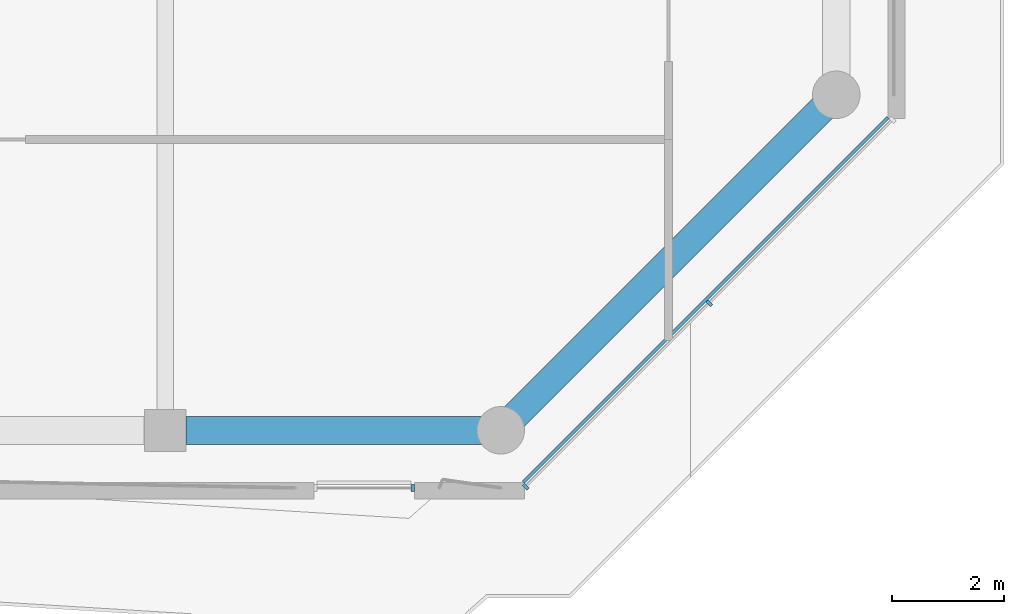
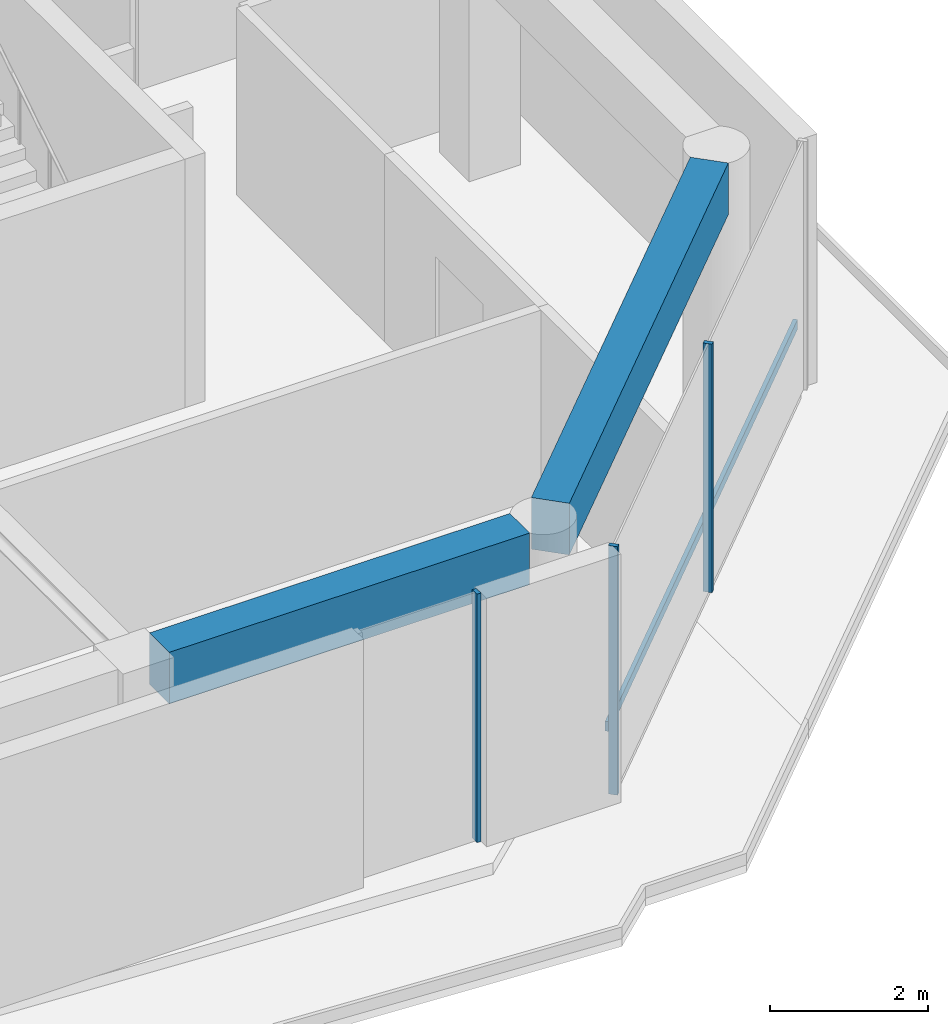
# One storey, part 3 of 18: 4 members, 2 beams, 2 elements without a shape of their own.
"""IFC4 building model written with IfcOpenShell, lengths in metres."""

from ifc_helpers import new_model, si_unit, direction, frame, origin, origin_2d, place, context, subcontext, project, spatial, rectangle, extrude, material, layer, layer_set, material_profile, profile_set, type_object, element, aggregate, save


model = new_model("IFC4")

# Units and contexts
model_context = context("Model", 3, precision=1e-05, world=origin(), true_north=direction((0.0, 1.0)))
body_context = subcontext(model_context, "Body", "Model", "MODEL_VIEW")
ifc_project = project(units=[si_unit("LENGTHUNIT", "METRE"), si_unit("AREAUNIT", "SQUARE_METRE"), si_unit("VOLUMEUNIT", "CUBIC_METRE"), si_unit("PLANEANGLEUNIT", "RADIAN"), si_unit("MASSUNIT", "GRAM", prefix="KILO")], contexts=[model_context])

# Site, building, storey
site_placement = place(None, origin())
site = spatial("IfcSite", under=ifc_project, at=site_placement, CompositionType="ELEMENT")
building_placement = place(site_placement, origin())
building = spatial("IfcBuilding", under=site, at=building_placement, Name="Welwitschia Terrace Campus", CompositionType="ELEMENT")
storey_placement = place(building_placement, frame((0.0, 0.0, 272.60009765625)))
storey = spatial("IfcBuildingStorey", under=building, at=storey_placement, Name="L60", CompositionType="ELEMENT", Elevation=272.60009765625)

# Curtain wall, member
ifc_material_1 = material(Name="Bronze anodised aluminium", Category="aluminium")
ifc_layer = layer(ifc_material_1, 0.1201171875)
ifc_layer_set = layer_set([ifc_layer], Name="Bronze anodised aluminium")
curtain_wall_type = type_object("IfcCurtainWallType", Name="Curtain wall CW2 tower 6000", PredefinedType="NOTDEFINED", material=ifc_layer_set)
curtain_wall_1_placement = place(storey_placement, origin())
curtain_wall_1 = element("IfcCurtainWall", 1, at=curtain_wall_1_placement, inside=storey, type_object=curtain_wall_type, Name="CW L60.3.S0", PredefinedType="NOTDEFINED")
ifc_material_2 = material(Name="Bronze anodised aluminium", Category="aluminium")
ifc_material_profile_1 = material_profile(ifc_material_2, rectangle(XDim=0.1201171875, YDim=0.06005859375, at=origin_2d()))
ifc_profile_set_1 = profile_set([ifc_material_profile_1], Name="Bronze anodised aluminium")
member_type_1 = type_object("IfcMemberType", Name="Mullion 60x120", PredefinedType="MULLION", material=ifc_profile_set_1)
member_1_placement = place(storey_placement, frame((22.427978515625, -5.030029296875, 0.0), z_axis=(0.0, 0.0, 1.0), x_axis=(0.0, 1.0, 0.0)))
member_1 = element("IfcMember", 2, at=member_1_placement, type_object=member_type_1, Name="Mullion L60.3.S0.1", PredefinedType="MULLION", context=body_context, shape_type="SweptSolid", body=[
    extrude(rectangle(XDim=0.1201171875, YDim=0.06005859375, at=origin_2d()), origin(), (0.0, 0.0, 1.0), 3.849853515625),
])
aggregate(curtain_wall_1, [member_1])

# Curtain wall, members
curtain_wall_2_placement = place(storey_placement, origin())
curtain_wall_2 = element("IfcCurtainWall", 3, at=curtain_wall_2_placement, inside=storey, type_object=curtain_wall_type, Name="CW L60.4.0", PredefinedType="NOTDEFINED")
member_2_placement = place(storey_placement, frame((24.44775390625, -5.0087890625, 0.0), z_axis=(0.0, 0.0, 1.0), x_axis=(-0.707106781187, 0.707106781187, 0.0)))
member_2 = element("IfcMember", 4, at=member_2_placement, type_object=member_type_1, Name="Mullion L60.4.0.0", PredefinedType="MULLION", context=body_context, shape_type="SweptSolid", body=[
    extrude(rectangle(XDim=0.1201171875, YDim=0.06005859375, at=origin_2d()), origin(), (0.0, 0.0, 1.0), 3.849853515625),
])
member_3_placement = place(storey_placement, frame((27.728271484375, -1.728271484375, 0.0), z_axis=(0.0, 0.0, 1.0), x_axis=(-0.707106781187, 0.707106781187, 0.0)))
member_3 = element("IfcMember", 5, at=member_3_placement, type_object=member_type_1, Name="Mullion L60.4.0.1", PredefinedType="MULLION", context=body_context, shape_type="SweptSolid", body=[
    extrude(rectangle(XDim=0.1201171875, YDim=0.06005859375, at=origin_2d()), origin(), (0.0, 0.0, 1.0), 3.849853515625),
])

# Beams
ifc_material_3 = material(Name="Concrete C50/60", Category="concrete")
ifc_material_profile_2 = material_profile(ifc_material_3, rectangle(XDim=0.5, YDim=0.800048828125, at=origin_2d()))
ifc_profile_set_2 = profile_set([ifc_material_profile_2], Name="Concrete C50/60")
beam_type = type_object("IfcBeamType", Name="Ring spandrel 500x800", PredefinedType="SPANDREL", material=ifc_profile_set_2)
beam_1_placement = place(storey_placement, frame((18.37548828125, -4.0, 3.449951171875), z_axis=(1.0, 0.0, 0.0), x_axis=(0.0, 1.0, 0.0)))
element("IfcBeam", 6, at=beam_1_placement, inside=storey, type_object=beam_type, Name="Spandrel SP4", PredefinedType="SPANDREL", context=body_context, shape_type="SweptSolid", body=[
    extrude(rectangle(XDim=0.5, YDim=0.800048828125, at=origin_2d()), origin(), (0.0, 0.0, 1.0), 5.280029296875),
])
beam_2_placement = place(storey_placement, frame((24.24365234375, -3.75634765625, 3.449951171875), z_axis=(0.707106781187, 0.707106781187, 0.0), x_axis=(-0.707106781187, 0.707106781187, 0.0)))
element("IfcBeam", 7, at=beam_2_placement, inside=storey, type_object=beam_type, Name="Spandrel SP4", PredefinedType="SPANDREL", context=body_context, shape_type="SweptSolid", body=[
    extrude(rectangle(XDim=0.5, YDim=0.800048828125, at=origin_2d()), origin(), (0.0, 0.0, 1.0), 7.796142578125),
])

# Member
ifc_material_4 = material(Name="Bronze anodised aluminium", Category="aluminium")
ifc_material_profile_3 = material_profile(ifc_material_4, rectangle(XDim=0.06005859375, YDim=0.14990234375, at=origin_2d()))
ifc_profile_set_3 = profile_set([ifc_material_profile_3], Name="Bronze anodised aluminium")
member_type_2 = type_object("IfcMemberType", Name="Transom 60x150", PredefinedType="USERDEFINED", material=ifc_profile_set_3)
member_4_placement = place(storey_placement, frame((24.405517578125, -4.923828125, 1.0), z_axis=(0.707106781187, 0.707106781187, 0.0), x_axis=(-0.707106781187, 0.707106781187, 0.0)))
member_4 = element("IfcMember", 8, at=member_4_placement, type_object=member_type_2, Name="Transom L60.4.0", ObjectType="TRANSOM", PredefinedType="USERDEFINED", context=body_context, shape_type="SweptSolid", body=[
    extrude(rectangle(XDim=0.06005859375, YDim=0.14990234375, at=origin_2d()), origin(), (0.0, 0.0, 1.0), 9.21826171875),
])

aggregate(curtain_wall_2, [member_2, member_3, member_4])

save(model, "model.ifc")
